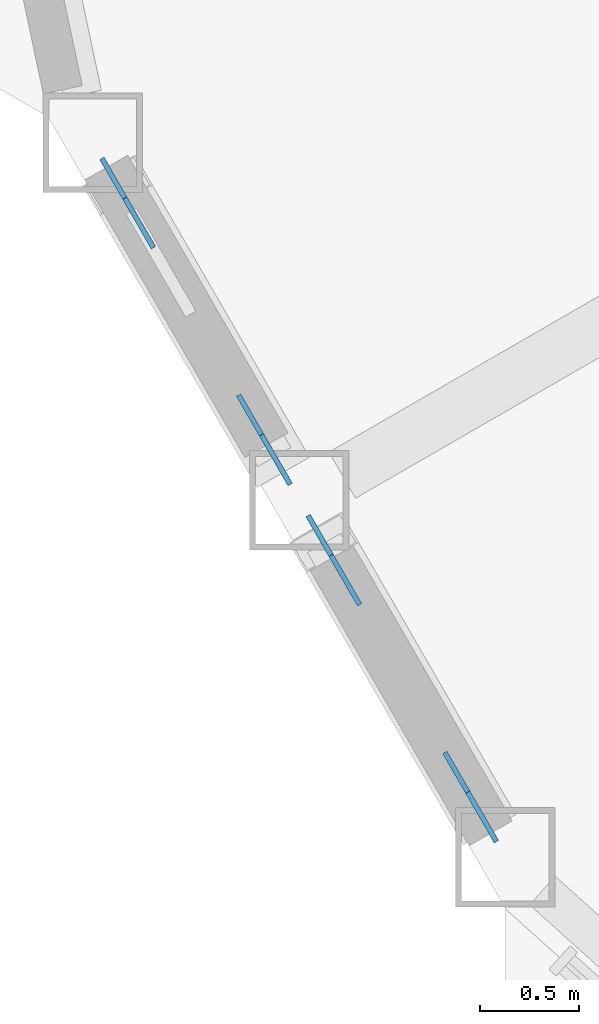
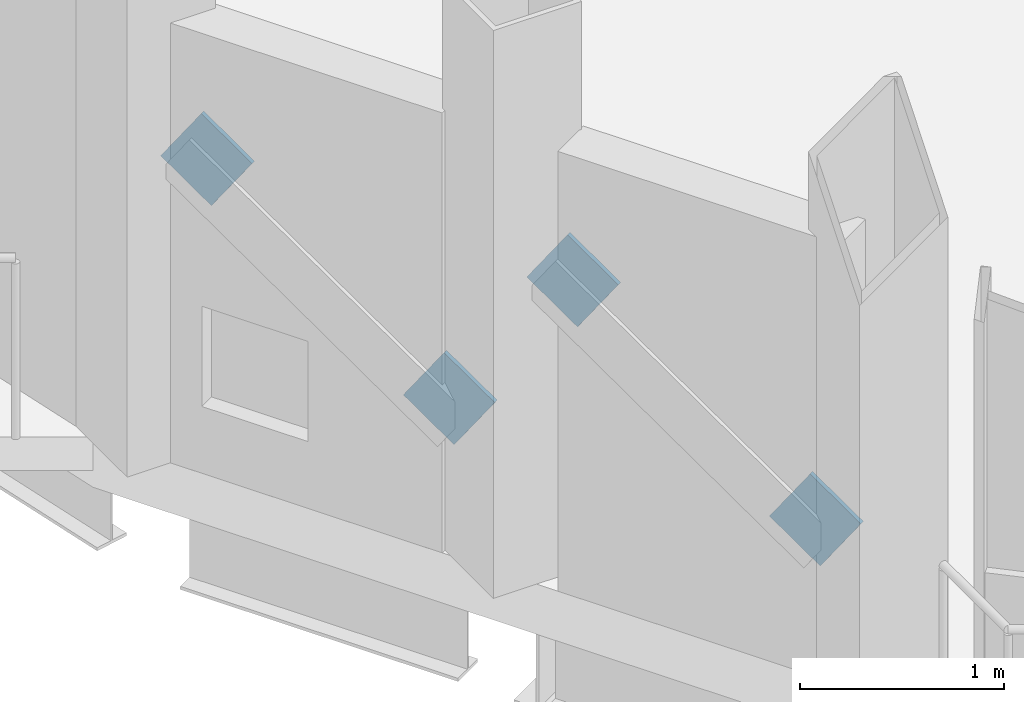
# One storey, part 18 of 25: 4 discrete accessories.
"""IFC4 building model written with IfcOpenShell, lengths in metres."""

from ifc_helpers import new_model, si_unit, direction, frame, origin, origin_2d, place, context, subcontext, project, spatial, rectangle, extrude, material, material_profile, profile_set, type_object, element, save


model = new_model("IFC4")

# Units and contexts
model_context = context("Model", 3, precision=1e-05, world=origin(), true_north=direction((0.0, 1.0)))
body_context = subcontext(model_context, "Body", "Model", "MODEL_VIEW")
ifc_project = project(units=[si_unit("LENGTHUNIT", "METRE"), si_unit("AREAUNIT", "SQUARE_METRE"), si_unit("VOLUMEUNIT", "CUBIC_METRE"), si_unit("PLANEANGLEUNIT", "RADIAN"), si_unit("MASSUNIT", "GRAM", prefix="KILO")], contexts=[model_context])

# Site, building, storey
site_placement = place(None, origin())
site = spatial("IfcSite", under=ifc_project, at=site_placement, CompositionType="ELEMENT")
building_placement = place(site_placement, origin())
building = spatial("IfcBuilding", under=site, at=building_placement, Name="Cormorant Prow Tower", CompositionType="ELEMENT")
storey_placement = place(building_placement, frame((0.0, 0.0, 395.0)))
storey = spatial("IfcBuildingStorey", under=building, at=storey_placement, Name="L90", CompositionType="ELEMENT", Elevation=395.0)

# Discrete accessories
ifc_material = material(Name="Structural steel ASTM A500 Gr C", Category="steel")
ifc_material_profile = material_profile(ifc_material, rectangle(XDim=0.02490234375, YDim=0.405029296875, at=origin_2d()), Name="Gusset plate 25x405")
ifc_profile_set = profile_set([ifc_material_profile], Name="Structural steel ASTM A500 Gr C")
discrete_accessory_type = type_object("IfcDiscreteAccessoryType", Name="Gusset plate 25x405", PredefinedType="BRACKET", material=ifc_profile_set)
for number, where, z_axis, x_axis, name in (
    (1, (-27.28369140625, -15.182373046875, 0.941162109375), (0.411595697368, -0.712269842394, -0.568560158228), (0.865832418869, 0.500334110806, 0.0), "Gusset plate GP3 L90.WSW00.g0"),
    (2, (-27.8271484375, -14.2412109375, 1.692626953125), (-0.411016012482, 0.712474276306, 0.568723344945), (-0.866199709737, -0.499697971631, 0.0), "Gusset plate GP3 L90.WSW00.g1"),
    (3, (-26.246826171875, -16.978271484375, 0.941162109375), (0.411595697368, -0.712269842394, -0.568560158228), (0.865832418869, 0.500334110806, 0.0), "Gusset plate GP3 L90.WSW01.g0"),
    (4, (-26.7900390625, -16.037109375, 1.692626953125), (-0.411595697368, 0.712269842394, 0.568560158228), (-0.865832418869, -0.500334110806, 0.0), "Gusset plate GP3 L90.WSW01.g1"),
):
    element("IfcDiscreteAccessory", number, at=place(storey_placement, frame(where, z_axis=z_axis, x_axis=x_axis)), inside=storey, type_object=discrete_accessory_type, Name=name, PredefinedType="BRACKET", context=body_context, shape_type="SweptSolid", body=[
        extrude(rectangle(XDim=0.02490234375, YDim=0.405029296875, at=origin_2d()), origin(), (0.0, 0.0, 1.0), 0.349853515625),
    ])

save(model, "model.ifc")
